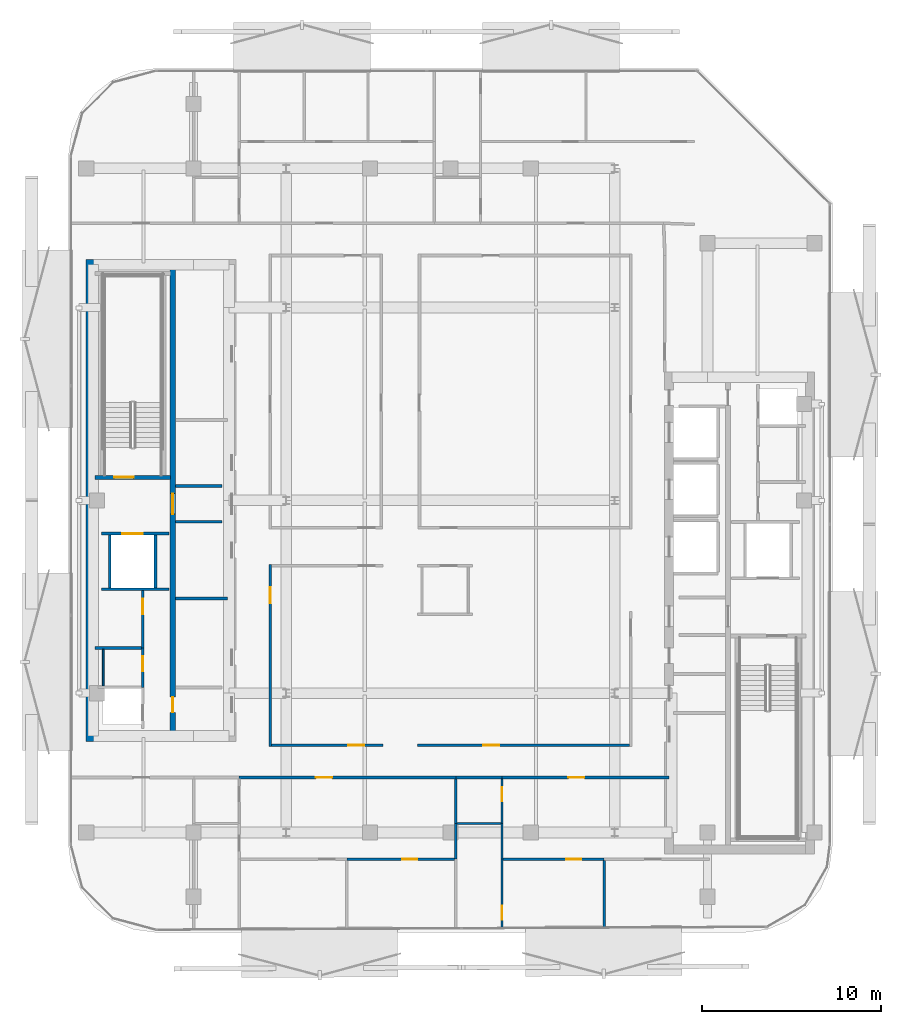
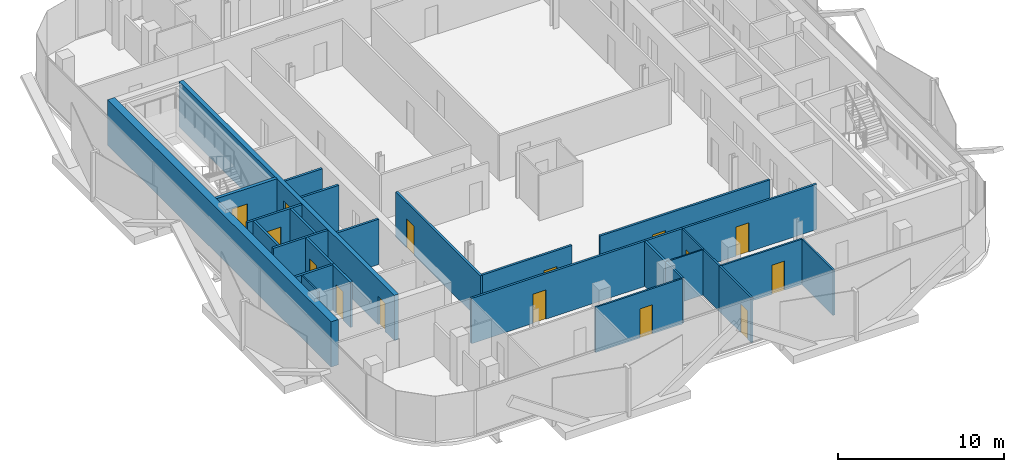
# One storey, part 3 of 15: 29 walls, 15 doors, 15 openings.
"""IFC4 building model written with IfcOpenShell, lengths in metres."""

from ifc_helpers import new_model, si_unit, direction, frame, frame_2d, origin, place, context, subcontext, project, spatial, rectangle, extrude, material, layer, layer_set, type_object, element, fill, save


model = new_model("IFC4")

# Units and contexts
model_context = context("Model", 3, precision=1e-05, world=origin(), true_north=direction((0.0, 1.0)))
body_context = subcontext(model_context, "Body", "Model", "MODEL_VIEW")
ifc_project = project(units=[si_unit("LENGTHUNIT", "METRE"), si_unit("AREAUNIT", "SQUARE_METRE"), si_unit("VOLUMEUNIT", "CUBIC_METRE"), si_unit("PLANEANGLEUNIT", "RADIAN"), si_unit("MASSUNIT", "GRAM", prefix="KILO")], contexts=[model_context])

# Site, building, storey
site_placement = place(None, origin())
site = spatial("IfcSite", under=ifc_project, at=site_placement, CompositionType="ELEMENT")
building_placement = place(site_placement, origin())
building = spatial("IfcBuilding", under=site, at=building_placement, Name="Khairoan Windgate Tower", CompositionType="ELEMENT")
storey_placement = place(building_placement, frame((0.0, 0.0, 262.0)))
storey = spatial("IfcBuildingStorey", under=building, at=storey_placement, Name="L62", CompositionType="ELEMENT", Elevation=262.0)

# Wall
ifc_material_1 = material(Name="Moisture-Resistant Gypsum Partition", Category="gypsum")
ifc_layer_1 = layer(ifc_material_1, 0.10009765625, Name="Moisture-Resistant Gypsum Partition")
ifc_layer_set_1 = layer_set([ifc_layer_1], Name="Moisture-Resistant Gypsum Partition")
wall_type_1 = type_object("IfcWallType", Name="Bathroom Wet-Area Partition Wall", PredefinedType="PARTITIONING", material=ifc_layer_set_1)
wall_1_placement = place(storey_placement, frame((0.3701171875, -18.10009765625, 0.0), z_axis=(0.0, 0.0, 1.0), x_axis=(1.0, 0.0, 0.0)))
element("IfcWall", 1, at=wall_1_placement, inside=storey, type_object=wall_type_1, Name="L62 Interior Partition 075", PredefinedType="PARTITIONING", context=body_context, shape_type="SweptSolid", body=[
    extrude(rectangle(XDim=2.469970703125, YDim=0.10009765625, at=frame_2d((1.23486328125, 0.0))), origin(), (0.0, 0.0, 1.0), 3.340087890625),
])

# Wall, opening, door
wall_2_placement = place(storey_placement, frame((2.889892578125, -18.10009765625, 0.0), z_axis=(0.0, 0.0, 1.0), x_axis=(0.0, 1.0, 0.0)))
wall_2 = element("IfcWall", 2, at=wall_2_placement, inside=storey, type_object=wall_type_1, Name="L62 Interior Partition 076", PredefinedType="PARTITIONING", context=body_context, shape_type="SweptSolid", body=[
    extrude(rectangle(XDim=2.5, YDim=0.10009765625, at=frame_2d((1.25, 0.0))), origin(), (0.0, 0.0, 1.0), 3.340087890625),
])
opening_1_placement = place(wall_2_placement, frame((1.239990234375, 0.0, 0.0)))
opening_1 = element("IfcOpeningElement", 3, at=opening_1_placement, cuts=wall_2, Name="Opening ID-BTH", PredefinedType="OPENING", context=body_context, shape_type="SweptSolid", body=[
    extrude(rectangle(XDim=0.800048828125, YDim=2.10009765625, at=frame_2d((0.39990234375, 1.050048828125))), frame((0.0, 0.06005859375, 0.0), z_axis=(0.0, -1.0, 0.0), x_axis=(1.0, 0.0, 0.0)), (0.0, 0.0, 1.0), 0.1201171875),
])
ifc_material_2 = material(Name="Teak Veneer Timber Leaf", Category="wood")
door_type_1 = type_object("IfcDoorType", Name="Internal Bathroom Door ID-BTH 800x2100", OperationType="NOTDEFINED", PredefinedType="DOOR", material=ifc_material_2)
door_1_placement = place(opening_1_placement, origin())
door_1 = element("IfcDoor", 4, at=door_1_placement, inside=storey, type_object=door_type_1, Name="L62 L62-51-L62-53 Door", OperationType="SINGLE_SWING_LEFT", OverallHeight=2.10009765625, OverallWidth=0.800048828125, PredefinedType="DOOR", context=body_context, shape_type="SweptSolid", body=[
    extrude(rectangle(XDim=0.800048828125, YDim=2.10009765625, at=frame_2d((0.39990234375, 1.050048828125))), frame((0.0, 0.02490234375, 0.0), z_axis=(0.0, -1.0, 0.0), x_axis=(1.0, 0.0, 0.0)), (0.0, 0.0, 1.0), 0.050048828125),
])
fill(opening_1, door_1)

# Wall
wall_3_placement = place(storey_placement, frame((-19.449951171875, -10.389892578125, 0.0), z_axis=(0.0, 0.0, 1.0), x_axis=(0.0, 1.0, 0.0)))
element("IfcWall", 5, at=wall_3_placement, inside=storey, type_object=wall_type_1, Name="L62 Wet Room Side Wall 083", PredefinedType="PARTITIONING", context=body_context, shape_type="SweptSolid", body=[
    extrude(rectangle(XDim=2.039794921875, YDim=0.10009765625, at=frame_2d((1.02001953125, 0.0))), origin(), (0.0, 0.0, 1.0), 3.340087890625),
])

# Wall, opening, door
ifc_material_3 = material(Name="Concrete C40/50", Category="concrete")
ifc_layer_2 = layer(ifc_material_3, 0.159912109375, Name="Concrete C40/50")
ifc_layer_set_2 = layer_set([ifc_layer_2], Name="Concrete C40/50")
wall_type_2 = type_object("IfcWallType", Name="Core and Hoistway Enclosure Wall", PredefinedType="STANDARD", material=ifc_layer_set_2)
wall_4_placement = place(storey_placement, frame((-19.550048828125, -1.860107421875, 0.0), z_axis=(0.0, 0.0, 1.0), x_axis=(1.0, 0.0, 0.0)))
wall_4 = element("IfcWall", 6, at=wall_4_placement, inside=storey, type_object=wall_type_2, Name="L62 Core Shaft Wall SW-FL2-L62", PredefinedType="STANDARD", context=body_context, shape_type="SweptSolid", body=[
    extrude(rectangle(XDim=3.800048828125, YDim=0.159912109375, at=frame_2d((1.89990234375, 0.0))), origin(), (0.0, 0.0, 1.0), 3.340087890625),
])
opening_2_placement = place(wall_4_placement, frame((1.179931640625, 0.0, 0.0)))
opening_2 = element("IfcOpeningElement", 7, at=opening_2_placement, cuts=wall_4, Name="Opening LD-FL", PredefinedType="OPENING", context=body_context, shape_type="SweptSolid", body=[
    extrude(rectangle(XDim=1.14990234375, YDim=2.199951171875, at=frame_2d((0.574951171875, 1.10009765625))), frame((0.0, 0.08984375, 0.0), z_axis=(0.0, -1.0, 0.0), x_axis=(1.0, 0.0, 0.0)), (0.0, 0.0, 1.0), 0.179931640625),
])
ifc_material_4 = material(Name="Steel S355", Category="steel")
door_type_2 = type_object("IfcDoorType", Name="Firefighting Lift Sliding Landing Door LD-FL 1150x2200", OperationType="DOUBLE_DOOR_SLIDING", PredefinedType="DOOR", material=ifc_material_4)
door_2_placement = place(opening_2_placement, origin())
door_2 = element("IfcDoor", 8, at=door_2_placement, inside=storey, type_object=door_type_2, Name="L62 Firefighting Lift FL2 Landing Door", OperationType="DOUBLE_DOOR_SLIDING", OverallHeight=2.199951171875, OverallWidth=1.14990234375, PredefinedType="DOOR", context=body_context, shape_type="SweptSolid", body=[
    extrude(rectangle(XDim=1.14990234375, YDim=2.199951171875, at=frame_2d((0.574951171875, 1.10009765625))), frame((0.0, 0.02490234375, 0.0), z_axis=(0.0, -1.0, 0.0), x_axis=(1.0, 0.0, 0.0)), (0.0, 0.0, 1.0), 0.050048828125),
])
fill(opening_2, door_2)

# Walls
wall_5_placement = place(storey_placement, frame((-19.550048828125, -4.97998046875, 0.0), z_axis=(0.0, 0.0, 1.0), x_axis=(1.0, 0.0, 0.0)))
element("IfcWall", 9, at=wall_5_placement, inside=storey, type_object=wall_type_2, Name="L62 Core Shaft Wall SW-FL2B-L62", PredefinedType="STANDARD", context=body_context, shape_type="SweptSolid", body=[
    extrude(rectangle(XDim=3.800048828125, YDim=0.159912109375, at=frame_2d((1.89990234375, 0.0))), origin(), (0.0, 0.0, 1.0), 3.340087890625),
])
for number, where, z_axis, x_axis, name in (
    (10, (-19.080078125, -4.89990234375, 0.0), (0.0, 0.0, 1.0), (0.0, 1.0, 0.0), "L62 Core Shaft Wall SW-FL2W-L62"),
    (11, (-16.52001953125, -4.89990234375, 0.0), (0.0, 0.0, 1.0), (0.0, 1.0, 0.0), "L62 Core Shaft Wall SW-FL2E-L62"),
):
    element("IfcWall", number, at=place(storey_placement, frame(where, z_axis=z_axis, x_axis=x_axis)), inside=storey, type_object=wall_type_2, Name=name, PredefinedType="STANDARD", context=body_context, shape_type="SweptSolid", body=[
        extrude(rectangle(XDim=2.9599609375, YDim=0.159912109375, at=frame_2d((1.47998046875, 0.0))), origin(), (0.0, 0.0, 1.0), 3.340087890625),
    ])
for number, where, z_axis, x_axis, name in (
    (12, (-15.39990234375, 0.800048828125, 0.0), (0.0, 0.0, 1.0), (1.0, 0.0, 0.0), "L62 Core Shaft Wall SW-WV1-L62"),
    (13, (-15.39990234375, -1.199951171875, 0.0), (0.0, 0.0, 1.0), (1.0, 0.0, 0.0), "L62 Core Shaft Wall SW-WV2-L62"),
):
    element("IfcWall", number, at=place(storey_placement, frame(where, z_axis=z_axis, x_axis=x_axis)), inside=storey, type_object=wall_type_2, Name=name, PredefinedType="STANDARD", context=body_context, shape_type="SweptSolid", body=[
        extrude(rectangle(XDim=2.599853515625, YDim=0.159912109375, at=frame_2d((1.2998046875, 0.0))), origin(), (0.0, 0.0, 1.0), 3.340087890625),
    ])
ifc_material_5 = material(Name="Acoustic Fire-Rated Gypsum Partition", Category="gypsum")
ifc_layer_3 = layer(ifc_material_5, 0.139892578125, Name="Acoustic Fire-Rated Gypsum Partition")
ifc_layer_set_3 = layer_set([ifc_layer_3], Name="Acoustic Fire-Rated Gypsum Partition")
wall_type_3 = type_object("IfcWallType", Name="Inter-Tenancy Compartment Wall", PredefinedType="PARTITIONING", material=ifc_layer_set_3)
wall_6_placement = place(storey_placement, frame((0.300048828125, -18.10009765625, 0.0), z_axis=(0.0, 0.0, 1.0), x_axis=(0.0, 1.0, 0.0)))
element("IfcWall", 14, at=wall_6_placement, inside=storey, type_object=wall_type_3, Name="L62 Interior Partition 071", PredefinedType="PARTITIONING", context=body_context, shape_type="SweptSolid", body=[
    extrude(rectangle(XDim=2.5, YDim=0.139892578125, at=frame_2d((1.25, 0.0))), origin(), (0.0, 0.0, 1.0), 3.340087890625),
])
wall_7_placement = place(storey_placement, frame((0.300048828125, -20.10009765625, 0.0), z_axis=(0.0, 0.0, 1.0), x_axis=(0.0, 1.0, 0.0)))
element("IfcWall", 15, at=wall_7_placement, inside=storey, type_object=wall_type_3, Name="L62 Interior Partition 072", PredefinedType="PARTITIONING", context=body_context, shape_type="SweptSolid", body=[
    extrude(rectangle(XDim=2.0, YDim=0.139892578125, at=frame_2d((1.0, 0.0))), origin(), (0.0, 0.0, 1.0), 3.340087890625),
])

# Wall, opening, door
ifc_material_6 = material(Name="Gypsum Stud Partition", Category="gypsum")
ifc_layer_4 = layer(ifc_material_6, 0.1201171875, Name="Gypsum Stud Partition")
ifc_layer_set_4 = layer_set([ifc_layer_4], Name="Gypsum Stud Partition")
wall_type_4 = type_object("IfcWallType", Name="Internal Room Partition Wall", PredefinedType="PARTITIONING", material=ifc_layer_set_4)
wall_8_placement = place(storey_placement, frame((-5.804931640625, -20.10009765625, 0.0), z_axis=(0.0, 0.0, 1.0), x_axis=(1.0, 0.0, 0.0)))
wall_8 = element("IfcWall", 16, at=wall_8_placement, inside=storey, type_object=wall_type_4, Name="L62 Interior Partition 070", PredefinedType="PARTITIONING", context=body_context, shape_type="SweptSolid", body=[
    extrude(rectangle(XDim=6.034912109375, YDim=0.1201171875, at=frame_2d((3.017578125, 0.0))), origin(), (0.0, 0.0, 1.0), 3.340087890625),
])
opening_3_placement = place(wall_8_placement, frame((3.093994140625, 0.0, 0.0)))
opening_3 = element("IfcOpeningElement", 17, at=opening_3_placement, cuts=wall_8, Name="Opening ID-RM", PredefinedType="OPENING", context=body_context, shape_type="SweptSolid", body=[
    extrude(rectangle(XDim=0.860107421875, YDim=2.14990234375, at=frame_2d((0.43017578125, 1.074951171875))), frame((0.0, 0.070068359375, 0.0), z_axis=(0.0, -1.0, 0.0), x_axis=(1.0, 0.0, 0.0)), (0.0, 0.0, 1.0), 0.14013671875),
])
ifc_material_7 = material(Name="Teak Veneer Timber Leaf", Category="wood")
door_type_3 = type_object("IfcDoorType", Name="Internal Bedroom and Office Door ID-RM 860x2150", OperationType="NOTDEFINED", PredefinedType="DOOR", material=ifc_material_7)
door_3_placement = place(opening_3_placement, origin())
door_3 = element("IfcDoor", 18, at=door_3_placement, inside=storey, type_object=door_type_3, Name="L62 L62-48-L62-50 Door", OperationType="SINGLE_SWING_RIGHT", OverallHeight=2.14990234375, OverallWidth=0.860107421875, PredefinedType="DOOR", context=body_context, shape_type="SweptSolid", body=[
    extrude(rectangle(XDim=0.860107421875, YDim=2.14990234375, at=frame_2d((0.43017578125, 1.074951171875))), frame((0.0, 0.02490234375, 0.0), z_axis=(0.0, -1.0, 0.0), x_axis=(1.0, 0.0, 0.0)), (0.0, 0.0, 1.0), 0.050048828125),
])
fill(opening_3, door_3)

# Wall
wall_9_placement = place(storey_placement, frame((2.889892578125, -20.10009765625, 0.0), z_axis=(0.0, 0.0, 1.0), x_axis=(0.0, 1.0, 0.0)))
element("IfcWall", 19, at=wall_9_placement, inside=storey, type_object=wall_type_4, Name="L62 Interior Partition 077", PredefinedType="PARTITIONING", context=body_context, shape_type="SweptSolid", body=[
    extrude(rectangle(XDim=2.0, YDim=0.1201171875, at=frame_2d((1.0, 0.0))), origin(), (0.0, 0.0, 1.0), 3.340087890625),
])

# Wall, opening, door
wall_10_placement = place(storey_placement, frame((2.889892578125, -23.96240234375, 0.0), z_axis=(0.0, 0.0, 1.0), x_axis=(0.0, 1.0, 0.0)))
wall_10 = element("IfcWall", 20, at=wall_10_placement, inside=storey, type_object=wall_type_4, Name="L62 Interior Partition 078", PredefinedType="PARTITIONING", context=body_context, shape_type="SweptSolid", body=[
    extrude(rectangle(XDim=3.8623046875, YDim=0.1201171875, at=frame_2d((1.93115234375, 0.0))), origin(), (0.0, 0.0, 1.0), 3.340087890625),
])
opening_4_placement = place(wall_10_placement, frame((0.4599609375, 0.0, 0.0)))
opening_4 = element("IfcOpeningElement", 21, at=opening_4_placement, cuts=wall_10, Name="Opening ID-BTH", PredefinedType="OPENING", context=body_context, shape_type="SweptSolid", body=[
    extrude(rectangle(XDim=0.800048828125, YDim=2.10009765625, at=frame_2d((0.39990234375, 1.050048828125))), frame((0.0, 0.070068359375, 0.0), z_axis=(0.0, -1.0, 0.0), x_axis=(1.0, 0.0, 0.0)), (0.0, 0.0, 1.0), 0.14013671875),
])
door_4_placement = place(opening_4_placement, origin())
door_4 = element("IfcDoor", 22, at=door_4_placement, inside=storey, type_object=door_type_1, Name="L62 L62-52-L62-54 Door", OperationType="SINGLE_SWING_RIGHT", OverallHeight=2.10009765625, OverallWidth=0.800048828125, PredefinedType="DOOR", context=body_context, shape_type="SweptSolid", body=[
    extrude(rectangle(XDim=0.800048828125, YDim=2.10009765625, at=frame_2d((0.39990234375, 1.050048828125))), frame((0.0, 0.02490234375, 0.0), z_axis=(0.0, -1.0, 0.0), x_axis=(1.0, 0.0, 0.0)), (0.0, 0.0, 1.0), 0.050048828125),
])
fill(opening_4, door_4)

wall_11_placement = place(storey_placement, frame((2.949951171875, -20.10009765625, 0.0), z_axis=(0.0, 0.0, 1.0), x_axis=(1.0, 0.0, 0.0)))
wall_11 = element("IfcWall", 23, at=wall_11_placement, inside=storey, type_object=wall_type_4, Name="L62 Interior Partition 079", PredefinedType="PARTITIONING", context=body_context, shape_type="SweptSolid", body=[
    extrude(rectangle(XDim=5.6650390625, YDim=0.1201171875, at=frame_2d((2.83251953125, 0.0))), origin(), (0.0, 0.0, 1.0), 3.340087890625),
])
opening_5_placement = place(wall_11_placement, frame((3.527099609375, 0.0, 0.0)))
opening_5 = element("IfcOpeningElement", 24, at=opening_5_placement, cuts=wall_11, Name="Opening ID-RM", PredefinedType="OPENING", context=body_context, shape_type="SweptSolid", body=[
    extrude(rectangle(XDim=0.860107421875, YDim=2.14990234375, at=frame_2d((0.43017578125, 1.074951171875))), frame((0.0, 0.070068359375, 0.0), z_axis=(0.0, -1.0, 0.0), x_axis=(1.0, 0.0, 0.0)), (0.0, 0.0, 1.0), 0.14013671875),
])
door_5_placement = place(opening_5_placement, origin())
door_5 = element("IfcDoor", 25, at=door_5_placement, inside=storey, type_object=door_type_3, Name="L62 L62-53-L62-54 Door", OperationType="SINGLE_SWING_LEFT", OverallHeight=2.14990234375, OverallWidth=0.860107421875, PredefinedType="DOOR", context=body_context, shape_type="SweptSolid", body=[
    extrude(rectangle(XDim=0.860107421875, YDim=2.14990234375, at=frame_2d((0.43017578125, 1.074951171875))), frame((0.0, 0.02490234375, 0.0), z_axis=(0.0, -1.0, 0.0), x_axis=(1.0, 0.0, 0.0)), (0.0, 0.0, 1.0), 0.050048828125),
])
fill(opening_5, door_5)

# Wall
wall_12_placement = place(storey_placement, frame((8.614990234375, -23.93505859375, 0.0), z_axis=(0.0, 0.0, 1.0), x_axis=(0.0, 1.0, 0.0)))
element("IfcWall", 26, at=wall_12_placement, inside=storey, type_object=wall_type_4, Name="L62 Interior Partition 081", PredefinedType="PARTITIONING", context=body_context, shape_type="SweptSolid", body=[
    extrude(rectangle(XDim=3.775146484375, YDim=0.1201171875, at=frame_2d((1.8876953125, 0.0))), origin(), (0.0, 0.0, 1.0), 3.340087890625),
])

# Wall, opening, door
ifc_material_8 = material(Name="Concrete C40/50", Category="concrete")
ifc_layer_5 = layer(ifc_material_8, 0.159912109375, Name="Concrete C40/50")
ifc_layer_set_5 = layer_set([ifc_layer_5], Name="Concrete C40/50")
wall_type_5 = type_object("IfcWallType", Name="Plant and Refuge Compartment Wall", PredefinedType="PARTITIONING", material=ifc_layer_set_5)
wall_13_placement = place(storey_placement, frame((-17.22998046875, -10.469970703125, 0.0), z_axis=(0.0, 0.0, 1.0), x_axis=(0.0, 1.0, 0.0)))
wall_13 = element("IfcWall", 27, at=wall_13_placement, inside=storey, type_object=wall_type_5, Name="L62 Interior Partition 002", PredefinedType="PARTITIONING", context=body_context, shape_type="SweptSolid", body=[
    extrude(rectangle(XDim=2.199951171875, YDim=0.159912109375, at=frame_2d((1.10009765625, 0.0))), origin(), (0.0, 0.0, 1.0), 3.340087890625),
])
opening_6_placement = place(wall_13_placement, frame((0.889892578125, 0.0, 0.0)))
opening_6 = element("IfcOpeningElement", 28, at=opening_6_placement, cuts=wall_13, Name="Opening FD-SRV", PredefinedType="OPENING", context=body_context, shape_type="SweptSolid", body=[
    extrude(rectangle(XDim=0.85009765625, YDim=2.10009765625, at=frame_2d((0.425048828125, 1.050048828125))), frame((0.0, 0.08984375, 0.0), z_axis=(0.0, -1.0, 0.0), x_axis=(1.0, 0.0, 0.0)), (0.0, 0.0, 1.0), 0.179931640625),
])
ifc_material_9 = material(Name="Steel S355", Category="steel")
door_type_4 = type_object("IfcDoorType", Name="Core Service and Riser Fire Door FD-SRV 850x2100", OperationType="NOTDEFINED", PredefinedType="DOOR", material=ifc_material_9)
door_6_placement = place(opening_6_placement, origin())
door_6 = element("IfcDoor", 29, at=door_6_placement, inside=storey, type_object=door_type_4, Name="L62 L62-04-L62-06 Door", OperationType="SINGLE_SWING_LEFT", OverallHeight=2.10009765625, OverallWidth=0.85009765625, PredefinedType="DOOR", context=body_context, shape_type="SweptSolid", body=[
    extrude(rectangle(XDim=0.85009765625, YDim=2.10009765625, at=frame_2d((0.425048828125, 1.050048828125))), frame((0.0, 0.02490234375, 0.0), z_axis=(0.0, -1.0, 0.0), x_axis=(1.0, 0.0, 0.0)), (0.0, 0.0, 1.0), 0.050048828125),
])
fill(opening_6, door_6)

wall_14_placement = place(storey_placement, frame((-17.22998046875, -8.27001953125, 0.0), z_axis=(0.0, 0.0, 1.0), x_axis=(0.0, 1.0, 0.0)))
wall_14 = element("IfcWall", 30, at=wall_14_placement, inside=storey, type_object=wall_type_5, Name="L62 Interior Partition 003", PredefinedType="PARTITIONING", context=body_context, shape_type="SweptSolid", body=[
    extrude(rectangle(XDim=3.2099609375, YDim=0.159912109375, at=frame_2d((1.60498046875, 0.0))), origin(), (0.0, 0.0, 1.0), 3.340087890625),
])
opening_7_placement = place(wall_14_placement, frame((1.89990234375, 0.0, 0.0)))
opening_7 = element("IfcOpeningElement", 31, at=opening_7_placement, cuts=wall_14, Name="Opening FD-SRV", PredefinedType="OPENING", context=body_context, shape_type="SweptSolid", body=[
    extrude(rectangle(XDim=0.85009765625, YDim=2.10009765625, at=frame_2d((0.425048828125, 1.050048828125))), frame((0.0, 0.08984375, 0.0), z_axis=(0.0, -1.0, 0.0), x_axis=(1.0, 0.0, 0.0)), (0.0, 0.0, 1.0), 0.179931640625),
])
door_7_placement = place(opening_7_placement, origin())
door_7 = element("IfcDoor", 32, at=door_7_placement, inside=storey, type_object=door_type_4, Name="L62 L62-04-L62-07 Door", OperationType="SINGLE_SWING_RIGHT", OverallHeight=2.10009765625, OverallWidth=0.85009765625, PredefinedType="DOOR", context=body_context, shape_type="SweptSolid", body=[
    extrude(rectangle(XDim=0.85009765625, YDim=2.10009765625, at=frame_2d((0.425048828125, 1.050048828125))), frame((0.0, 0.02490234375, 0.0), z_axis=(0.0, -1.0, 0.0), x_axis=(1.0, 0.0, 0.0)), (0.0, 0.0, 1.0), 0.050048828125),
])
fill(opening_7, door_7)

# Walls
wall_15_placement = place(storey_placement, frame((-19.89990234375, -8.27001953125, 0.0), z_axis=(0.0, 0.0, 1.0), x_axis=(1.0, 0.0, 0.0)))
element("IfcWall", 33, at=wall_15_placement, inside=storey, type_object=wall_type_5, Name="L62 Interior Partition 005", PredefinedType="PARTITIONING", context=body_context, shape_type="SweptSolid", body=[
    extrude(rectangle(XDim=2.58984375, YDim=0.159912109375, at=frame_2d((1.294921875, 0.0))), origin(), (0.0, 0.0, 1.0), 3.340087890625),
])
wall_16_placement = place(storey_placement, frame((-15.39990234375, -5.5, 0.0), z_axis=(0.0, 0.0, 1.0), x_axis=(1.0, 0.0, 0.0)))
element("IfcWall", 34, at=wall_16_placement, inside=storey, type_object=wall_type_5, Name="L62 Interior Partition 007", PredefinedType="PARTITIONING", context=body_context, shape_type="SweptSolid", body=[
    extrude(rectangle(XDim=2.89990234375, YDim=0.159912109375, at=frame_2d((1.449951171875, 0.0))), origin(), (0.0, 0.0, 1.0), 3.340087890625),
])

# Wall, opening, door
ifc_material_10 = material(Name="Acoustic Fire-Rated Gypsum Partition", Category="gypsum")
ifc_layer_6 = layer(ifc_material_10, 0.14990234375, Name="Acoustic Fire-Rated Gypsum Partition")
ifc_layer_set_6 = layer_set([ifc_layer_6], Name="Acoustic Fire-Rated Gypsum Partition")
wall_type_6 = type_object("IfcWallType", Name="Rated Corridor Partition Wall", PredefinedType="PARTITIONING", material=ifc_layer_set_6)
wall_17_placement = place(storey_placement, frame((-10.10009765625, -13.794921875, 0.0), z_axis=(0.0, 0.0, 1.0), x_axis=(0.0, 1.0, 0.0)))
wall_17 = element("IfcWall", 35, at=wall_17_placement, inside=storey, type_object=wall_type_6, Name="L62 Interior Partition 016", PredefinedType="PARTITIONING", context=body_context, shape_type="SweptSolid", body=[
    extrude(rectangle(XDim=10.204833984375, YDim=0.14990234375, at=frame_2d((5.1025390625, 0.0))), origin(), (0.0, 0.0, 1.0), 3.340087890625),
])
opening_8_placement = place(wall_17_placement, frame((8.027099609375, 0.0, 0.0)))
opening_8 = element("IfcOpeningElement", 36, at=opening_8_placement, cuts=wall_17, Name="Opening FD-ENT", PredefinedType="OPENING", context=body_context, shape_type="SweptSolid", body=[
    extrude(rectangle(XDim=0.89990234375, YDim=2.14990234375, at=frame_2d((0.449951171875, 1.074951171875))), frame((0.0, 0.0849609375, 0.0), z_axis=(0.0, -1.0, 0.0), x_axis=(1.0, 0.0, 0.0)), (0.0, 0.0, 1.0), 0.169921875),
])
ifc_material_11 = material(Name="Timber Fire-Rated Core", Category="wood")
door_type_5 = type_object("IfcDoorType", Name="Unit and Office Fire Entrance Door FD-ENT 900x2150", OperationType="NOTDEFINED", PredefinedType="DOOR", material=ifc_material_11)
door_8_placement = place(opening_8_placement, origin())
door_8 = element("IfcDoor", 37, at=door_8_placement, inside=storey, type_object=door_type_5, Name="L62 L62-29-L62-60 Door", OperationType="SINGLE_SWING_LEFT", OverallHeight=2.14990234375, OverallWidth=0.89990234375, PredefinedType="DOOR", context=body_context, shape_type="SweptSolid", body=[
    extrude(rectangle(XDim=0.89990234375, YDim=2.14990234375, at=frame_2d((0.449951171875, 1.074951171875))), frame((0.0, 0.02490234375, 0.0), z_axis=(0.0, -1.0, 0.0), x_axis=(1.0, 0.0, 0.0)), (0.0, 0.0, 1.0), 0.050048828125),
])
fill(opening_8, door_8)

wall_18_placement = place(storey_placement, frame((-11.830078125, -15.52490234375, 0.0), z_axis=(0.0, 0.0, 1.0), x_axis=(1.0, 0.0, 0.0)))
wall_18 = element("IfcWall", 38, at=wall_18_placement, inside=storey, type_object=wall_type_6, Name="L62 Interior Partition 035", PredefinedType="PARTITIONING", context=body_context, shape_type="SweptSolid", body=[
    extrude(rectangle(XDim=12.130126953125, YDim=0.14990234375, at=frame_2d((6.06494140625, 0.0))), origin(), (0.0, 0.0, 1.0), 3.340087890625),
])
opening_9_placement = place(wall_18_placement, frame((4.301025390625, 0.0, 0.0)))
opening_9 = element("IfcOpeningElement", 39, at=opening_9_placement, cuts=wall_18, Name="Opening FD-ENT", PredefinedType="OPENING", context=body_context, shape_type="SweptSolid", body=[
    extrude(rectangle(XDim=0.89990234375, YDim=2.14990234375, at=frame_2d((0.449951171875, 1.074951171875))), frame((0.0, 0.0849609375, 0.0), z_axis=(0.0, -1.0, 0.0), x_axis=(1.0, 0.0, 0.0)), (0.0, 0.0, 1.0), 0.169921875),
])
door_9_placement = place(opening_9_placement, origin())
door_9 = element("IfcDoor", 40, at=door_9_placement, inside=storey, type_object=door_type_5, Name="L62 L62-34-L62-48 Door", OperationType="SINGLE_SWING_LEFT", OverallHeight=2.14990234375, OverallWidth=0.89990234375, PredefinedType="DOOR", context=body_context, shape_type="SweptSolid", body=[
    extrude(rectangle(XDim=0.89990234375, YDim=2.14990234375, at=frame_2d((0.449951171875, 1.074951171875))), frame((0.0, 0.02490234375, 0.0), z_axis=(0.0, -1.0, 0.0), x_axis=(1.0, 0.0, 0.0)), (0.0, 0.0, 1.0), 0.050048828125),
])
fill(opening_9, door_9)

# Wall
wall_19_placement = place(storey_placement, frame((0.300048828125, -15.52490234375, 0.0), z_axis=(0.0, 0.0, 1.0), x_axis=(1.0, 0.0, 0.0)))
element("IfcWall", 41, at=wall_19_placement, inside=storey, type_object=wall_type_6, Name="L62 Interior Partition 036", PredefinedType="PARTITIONING", context=body_context, shape_type="SweptSolid", body=[
    extrude(rectangle(XDim=2.58984375, YDim=0.14990234375, at=frame_2d((1.294921875, 0.0))), origin(), (0.0, 0.0, 1.0), 3.340087890625),
])

# Wall, opening, door
wall_20_placement = place(storey_placement, frame((2.889892578125, -15.52490234375, 0.0), z_axis=(0.0, 0.0, 1.0), x_axis=(1.0, 0.0, 0.0)))
wall_20 = element("IfcWall", 42, at=wall_20_placement, inside=storey, type_object=wall_type_6, Name="L62 Interior Partition 037", PredefinedType="PARTITIONING", context=body_context, shape_type="SweptSolid", body=[
    extrude(rectangle(XDim=9.35009765625, YDim=0.14990234375, at=frame_2d((4.675048828125, 0.0))), origin(), (0.0, 0.0, 1.0), 3.340087890625),
])
opening_10_placement = place(wall_20_placement, frame((3.71630859375, 0.0, 0.0)))
opening_10 = element("IfcOpeningElement", 43, at=opening_10_placement, cuts=wall_20, Name="Opening FD-ENT", PredefinedType="OPENING", context=body_context, shape_type="SweptSolid", body=[
    extrude(rectangle(XDim=0.89990234375, YDim=2.14990234375, at=frame_2d((0.449951171875, 1.074951171875))), frame((0.0, 0.0849609375, 0.0), z_axis=(0.0, -1.0, 0.0), x_axis=(1.0, 0.0, 0.0)), (0.0, 0.0, 1.0), 0.169921875),
])
door_10_placement = place(opening_10_placement, origin())
door_10 = element("IfcDoor", 44, at=door_10_placement, inside=storey, type_object=door_type_5, Name="L62 L62-34-L62-53 Door", OperationType="SINGLE_SWING_RIGHT", OverallHeight=2.14990234375, OverallWidth=0.89990234375, PredefinedType="DOOR", context=body_context, shape_type="SweptSolid", body=[
    extrude(rectangle(XDim=0.89990234375, YDim=2.14990234375, at=frame_2d((0.449951171875, 1.074951171875))), frame((0.0, 0.02490234375, 0.0), z_axis=(0.0, -1.0, 0.0), x_axis=(1.0, 0.0, 0.0)), (0.0, 0.0, 1.0), 0.050048828125),
])
fill(opening_10, door_10)

wall_21_placement = place(storey_placement, frame((-10.02490234375, -13.719970703125, 0.0), z_axis=(0.0, 0.0, 1.0), x_axis=(1.0, 0.0, 0.0)))
wall_21 = element("IfcWall", 45, at=wall_21_placement, inside=storey, type_object=wall_type_6, Name="L62 Interior Partition 039", PredefinedType="PARTITIONING", context=body_context, shape_type="SweptSolid", body=[
    extrude(rectangle(XDim=6.2548828125, YDim=0.14990234375, at=frame_2d((3.12744140625, 0.0))), origin(), (0.0, 0.0, 1.0), 3.340087890625),
])
opening_11_placement = place(wall_21_placement, frame((4.290283203125, 0.0, 0.0)))
opening_11 = element("IfcOpeningElement", 46, at=opening_11_placement, cuts=wall_21, Name="Opening FD-ENT", PredefinedType="OPENING", context=body_context, shape_type="SweptSolid", body=[
    extrude(rectangle(XDim=0.89990234375, YDim=2.14990234375, at=frame_2d((0.449951171875, 1.074951171875))), frame((0.0, 0.0849609375, 0.0), z_axis=(0.0, -1.0, 0.0), x_axis=(1.0, 0.0, 0.0)), (0.0, 0.0, 1.0), 0.169921875),
])
door_11_placement = place(opening_11_placement, origin())
door_11 = element("IfcDoor", 47, at=door_11_placement, inside=storey, type_object=door_type_5, Name="L62 L62-34-L62-60 Door", OperationType="SINGLE_SWING_RIGHT", OverallHeight=2.14990234375, OverallWidth=0.89990234375, PredefinedType="DOOR", context=body_context, shape_type="SweptSolid", body=[
    extrude(rectangle(XDim=0.89990234375, YDim=2.14990234375, at=frame_2d((0.449951171875, 1.074951171875))), frame((0.0, 0.02490234375, 0.0), z_axis=(0.0, -1.0, 0.0), x_axis=(1.0, 0.0, 0.0)), (0.0, 0.0, 1.0), 0.050048828125),
])
fill(opening_11, door_11)

wall_22_placement = place(storey_placement, frame((-1.830078125, -13.719970703125, 0.0), z_axis=(0.0, 0.0, 1.0), x_axis=(1.0, 0.0, 0.0)))
wall_22 = element("IfcWall", 48, at=wall_22_placement, inside=storey, type_object=wall_type_6, Name="L62 Interior Partition 040", PredefinedType="PARTITIONING", context=body_context, shape_type="SweptSolid", body=[
    extrude(rectangle(XDim=11.85498046875, YDim=0.14990234375, at=frame_2d((5.927490234375, 0.0))), origin(), (0.0, 0.0, 1.0), 3.340087890625),
])
opening_12_placement = place(wall_22_placement, frame((3.671142578125, 0.0, 0.0)))
opening_12 = element("IfcOpeningElement", 49, at=opening_12_placement, cuts=wall_22, Name="Opening FD-ENT", PredefinedType="OPENING", context=body_context, shape_type="SweptSolid", body=[
    extrude(rectangle(XDim=0.89990234375, YDim=2.14990234375, at=frame_2d((0.449951171875, 1.074951171875))), frame((0.0, 0.0849609375, 0.0), z_axis=(0.0, -1.0, 0.0), x_axis=(1.0, 0.0, 0.0)), (0.0, 0.0, 1.0), 0.169921875),
])
door_12_placement = place(opening_12_placement, origin())
door_12 = element("IfcDoor", 50, at=door_12_placement, inside=storey, type_object=door_type_5, Name="L62 L62-34-L62-63 Door", OperationType="SINGLE_SWING_LEFT", OverallHeight=2.14990234375, OverallWidth=0.89990234375, PredefinedType="DOOR", context=body_context, shape_type="SweptSolid", body=[
    extrude(rectangle(XDim=0.89990234375, YDim=2.14990234375, at=frame_2d((0.449951171875, 1.074951171875))), frame((0.0, 0.02490234375, 0.0), z_axis=(0.0, -1.0, 0.0), x_axis=(1.0, 0.0, 0.0)), (0.0, 0.0, 1.0), 0.050048828125),
])
fill(opening_12, door_12)

# Wall
ifc_material_12 = material(Name="Concrete C50/60", Category="concrete")
ifc_layer_7 = layer(ifc_material_12, 0.5, Name="Concrete C50/60")
ifc_layer_set_7 = layer_set([ifc_layer_7], Name="Concrete C50/60")
wall_type_7 = type_object("IfcWallType", Name="Shear Wall CW-W3 500mm", PredefinedType="SHEAR", material=ifc_layer_set_7)
wall_23_placement = place(storey_placement, frame((-20.14990234375, -13.5, 0.0), z_axis=(0.0, 0.0, 1.0), x_axis=(0.0, 1.0, 0.0)))
element("IfcWall", 51, at=wall_23_placement, inside=storey, type_object=wall_type_7, Name="W Core West Shear Wall L62", PredefinedType="SHEAR", context=body_context, shape_type="SweptSolid", body=[
    extrude(rectangle(XDim=27.0, YDim=0.5, at=frame_2d((13.5, 0.0))), origin(), (0.0, 0.0, 1.0), 3.340087890625),
])

# Wall, openings, doors
ifc_material_13 = material(Name="Concrete C50/60", Category="concrete")
ifc_layer_8 = layer(ifc_material_13, 0.300048828125, Name="Concrete C50/60")
ifc_layer_set_8 = layer_set([ifc_layer_8], Name="Concrete C50/60")
wall_type_8 = type_object("IfcWallType", Name="Shear Wall SW-2 300mm", PredefinedType="SHEAR", material=ifc_layer_set_8)
wall_24_placement = place(storey_placement, frame((-15.550048828125, -13.0, 0.0), z_axis=(0.0, 0.0, 1.0), x_axis=(0.0, 1.0, 0.0)))
wall_24 = element("IfcWall", 52, at=wall_24_placement, inside=storey, type_object=wall_type_8, Name="W Core Spine Shear Wall L62", PredefinedType="SHEAR", context=body_context, shape_type="SweptSolid", body=[
    extrude(rectangle(XDim=26.0, YDim=0.300048828125, at=frame_2d((13.0, 0.0))), origin(), (0.0, 0.0, 1.0), 3.340087890625),
])
opening_13_placement = place(wall_24_placement, frame((12.22509765625, 0.0, 0.0)))
opening_13 = element("IfcOpeningElement", 53, at=opening_13_placement, cuts=wall_24, Name="Opening FD-FFL", PredefinedType="OPENING", context=body_context, shape_type="SweptSolid", body=[
    extrude(rectangle(XDim=1.14990234375, YDim=2.199951171875, at=frame_2d((0.574951171875, 1.10009765625))), frame((0.0, 0.159912109375, 0.0), z_axis=(0.0, -1.0, 0.0), x_axis=(1.0, 0.0, 0.0)), (0.0, 0.0, 1.0), 0.320068359375),
])
opening_14_placement = place(wall_24_placement, frame((1.125, 0.0, 0.0)))
opening_14 = element("IfcOpeningElement", 54, at=opening_14_placement, cuts=wall_24, Name="Opening FD-SRV", PredefinedType="OPENING", context=body_context, shape_type="SweptSolid", body=[
    extrude(rectangle(XDim=0.85009765625, YDim=2.10009765625, at=frame_2d((0.425048828125, 1.050048828125))), frame((0.0, 0.159912109375, 0.0), z_axis=(0.0, -1.0, 0.0), x_axis=(1.0, 0.0, 0.0)), (0.0, 0.0, 1.0), 0.320068359375),
])
door_13_placement = place(opening_14_placement, origin())
door_13 = element("IfcDoor", 55, at=door_13_placement, inside=storey, type_object=door_type_4, Name="L62 West Core Service Passage Inner Door", OperationType="SINGLE_SWING_LEFT", OverallHeight=2.10009765625, OverallWidth=0.85009765625, PredefinedType="DOOR", context=body_context, shape_type="SweptSolid", body=[
    extrude(rectangle(XDim=0.85009765625, YDim=2.10009765625, at=frame_2d((0.425048828125, 1.050048828125))), frame((0.0, 0.02490234375, 0.0), z_axis=(0.0, -1.0, 0.0), x_axis=(1.0, 0.0, 0.0)), (0.0, 0.0, 1.0), 0.050048828125),
])
fill(opening_14, door_13)
ifc_material_14 = material(Name="Steel S355", Category="steel")
door_type_6 = type_object("IfcDoorType", Name="Firefighting Lobby Fire Door FD-FFL 1150x2200", OperationType="NOTDEFINED", PredefinedType="DOOR", material=ifc_material_14)
door_14_placement = place(opening_13_placement, origin())
door_14 = element("IfcDoor", 56, at=door_14_placement, inside=storey, type_object=door_type_6, Name="L62 West Firefighting Lobby Fire Door", OperationType="SINGLE_SWING_LEFT", OverallHeight=2.199951171875, OverallWidth=1.14990234375, PredefinedType="DOOR", context=body_context, shape_type="SweptSolid", body=[
    extrude(rectangle(XDim=1.14990234375, YDim=2.199951171875, at=frame_2d((0.574951171875, 1.10009765625))), frame((0.0, 0.02490234375, 0.0), z_axis=(0.0, -1.0, 0.0), x_axis=(1.0, 0.0, 0.0)), (0.0, 0.0, 1.0), 0.050048828125),
])
fill(opening_13, door_14)

# Wall, opening, door
ifc_material_15 = material(Name="Concrete C50/60", Category="concrete")
ifc_layer_9 = layer(ifc_material_15, 0.219970703125, Name="Concrete C50/60")
ifc_layer_set_9 = layer_set([ifc_layer_9], Name="Concrete C50/60")
wall_type_9 = type_object("IfcWallType", Name="Shear Wall SW-ST 220mm", PredefinedType="SHEAR", material=ifc_layer_set_9)
wall_25_placement = place(storey_placement, frame((-19.919921875, 1.2900390625, 0.0), z_axis=(0.0, 0.0, 1.0), x_axis=(1.0, 0.0, 0.0)))
wall_25 = element("IfcWall", 57, at=wall_25_placement, inside=storey, type_object=wall_type_9, Name="L62 Stair ST2 South Bearing Wall", PredefinedType="SHEAR", context=body_context, shape_type="SweptSolid", body=[
    extrude(rectangle(XDim=4.239990234375, YDim=0.219970703125, at=frame_2d((2.1201171875, 0.0))), origin(), (0.0, 0.0, 1.0), 3.340087890625),
])
opening_15_placement = place(wall_25_placement, frame((1.080078125, 0.0, 0.0)))
opening_15 = element("IfcOpeningElement", 58, at=opening_15_placement, cuts=wall_25, Name="Opening FD-ST", PredefinedType="OPENING", context=body_context, shape_type="SweptSolid", body=[
    extrude(rectangle(XDim=1.10009765625, YDim=2.199951171875, at=frame_2d((0.550048828125, 1.10009765625))), frame((0.0, 0.119873046875, 0.0), z_axis=(0.0, -1.0, 0.0), x_axis=(1.0, 0.0, 0.0)), (0.0, 0.0, 1.0), 0.239990234375),
])
ifc_material_16 = material(Name="Steel S355", Category="steel")
door_type_7 = type_object("IfcDoorType", Name="Smokeproof Stair Fire Door FD-ST 1100x2200", OperationType="NOTDEFINED", PredefinedType="DOOR", material=ifc_material_16)
door_15_placement = place(opening_15_placement, origin())
door_15 = element("IfcDoor", 59, at=door_15_placement, inside=storey, type_object=door_type_7, Name="L62 Stair ST2 Fire Door", OperationType="SINGLE_SWING_RIGHT", OverallHeight=2.199951171875, OverallWidth=1.10009765625, PredefinedType="DOOR", context=body_context, shape_type="SweptSolid", body=[
    extrude(rectangle(XDim=1.10009765625, YDim=2.199951171875, at=frame_2d((0.550048828125, 1.10009765625))), frame((0.0, 0.02490234375, 0.0), z_axis=(0.0, -1.0, 0.0), x_axis=(1.0, 0.0, 0.0)), (0.0, 0.0, 1.0), 0.050048828125),
])
fill(opening_15, door_15)

save(model, "model.ifc")
